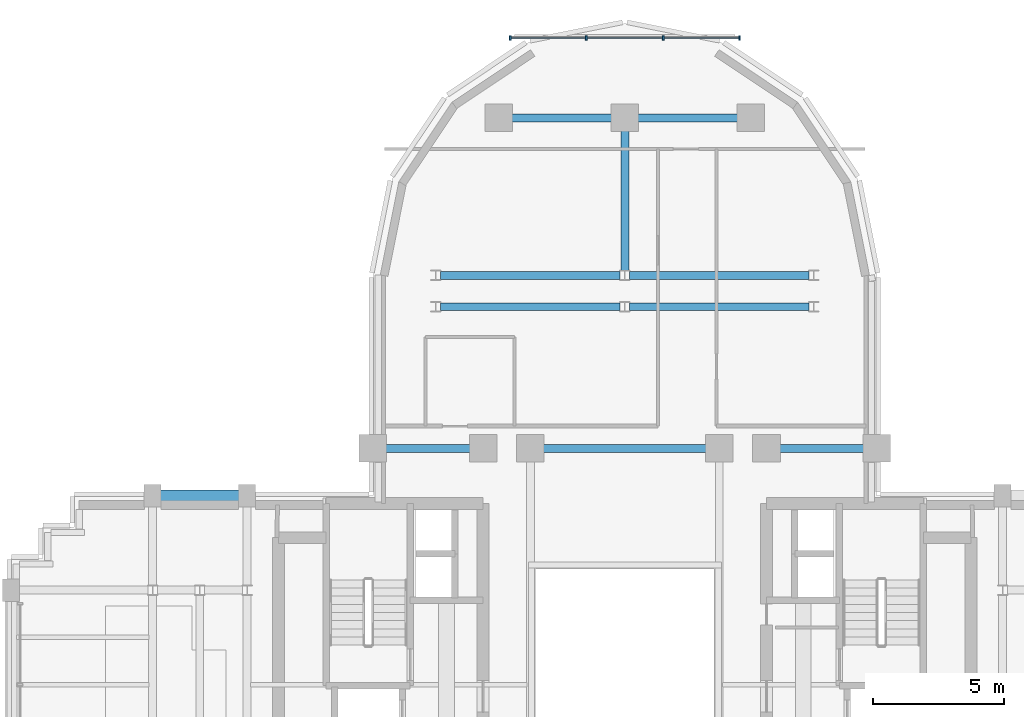
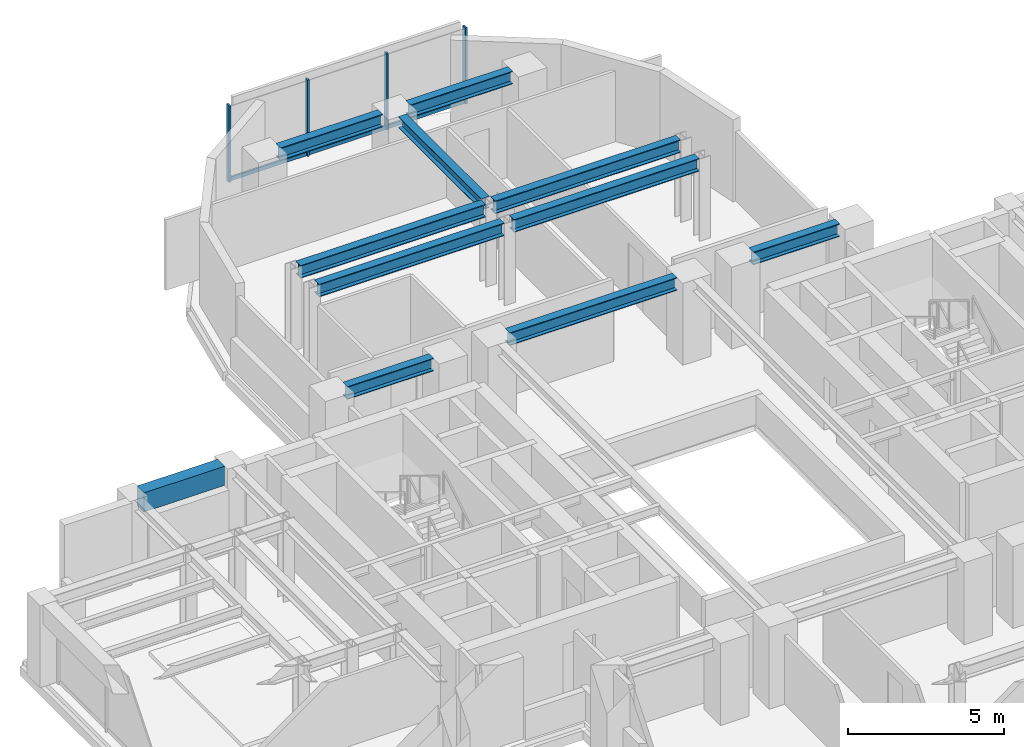
# One storey, part 6 of 13: 11 beams, 7 members, 1 element without a shape of its own.
"""IFC4 building model written with IfcOpenShell, lengths in metres."""

from ifc_helpers import new_model, si_unit, direction, frame, origin, origin_2d, place, context, subcontext, project, spatial, rectangle, i_section, extrude, source, transform, mapped, material, material_profile, profile_set, type_object, element, aggregate, save


model = new_model("IFC4")

# Units and contexts
model_context = context("Model", 3, precision=1e-05, world=origin(), true_north=direction((0.0, 1.0)))
body_context = subcontext(model_context, "Body", "Model", "MODEL_VIEW")
ifc_project = project(units=[si_unit("LENGTHUNIT", "METRE"), si_unit("AREAUNIT", "SQUARE_METRE"), si_unit("VOLUMEUNIT", "CUBIC_METRE"), si_unit("PLANEANGLEUNIT", "RADIAN"), si_unit("MASSUNIT", "GRAM", prefix="KILO")], contexts=[model_context])

# Site, building, storey
site_placement = place(None, origin())
site = spatial("IfcSite", under=ifc_project, at=site_placement, CompositionType="ELEMENT")
building_placement = place(site_placement, origin())
building = spatial("IfcBuilding", under=site, at=building_placement, Name="Keilestroom Media Tower", CompositionType="ELEMENT")
storey_placement = place(building_placement, frame((0.0, 0.0, 97.199951171875)))
storey = spatial("IfcBuildingStorey", under=building, at=storey_placement, Name="L25", CompositionType="ELEMENT", Elevation=97.199951171875)

# Beams
ifc_material_1 = material(Name="Steel S355", Category="steel")
ifc_material_profile_1 = material_profile(ifc_material_1, i_section(OverallWidth=0.300048828125, OverallDepth=0.5, WebThickness=0.012451171875, FlangeThickness=0.028076171875, at=origin_2d()), Name="HEB 500")
ifc_profile_set_1 = profile_set([ifc_material_profile_1], Name="Steel S355")
beam_type_1 = type_object("IfcBeamType", Name="Primary-Structural-Girder-HEB-500", PredefinedType="BEAM", material=ifc_profile_set_1)
shared_shape_1 = source(origin(), body_context, "Body", "SweptSolid", [
    extrude(i_section(OverallWidth=0.300048828125, OverallDepth=0.5, WebThickness=0.012451171875, FlangeThickness=0.028076171875, at=origin_2d()), origin(), (0.0, 0.0, 1.0), 3.7900390625),
])
for number, where, z_axis, x_axis, name in (
    (1, (-4.294921875, 21.60009765625, 2.949951171875), (1.0, 0.0, 0.0), (0.0, 1.0, 0.0), "L25 Beam BG-6 BM-L25-EW-037"),
    (2, (0.5048828125, 21.60009765625, 2.949951171875), (1.0, 0.0, 0.0), (0.0, 1.0, 0.0), "L25 Beam BG-6 BM-L25-EW-038"),
):
    element("IfcBeam", number, at=place(storey_placement, frame(where, z_axis=z_axis, x_axis=x_axis)), inside=storey, type_object=beam_type_1, Name=name, PredefinedType="BEAM", context=body_context, shape_type="MappedRepresentation", body=[
        mapped(shared_shape_1, transform((0.0, 0.0, 0.0), x_axis=(1.0, 0.0, 0.0), y_axis=(0.0, 1.0, 0.0), z_axis=(0.0, 0.0, 1.0), scale=1.0)),
    ])
shared_shape_2 = source(origin(), body_context, "Body", "SweptSolid", [
    extrude(i_section(OverallWidth=0.300048828125, OverallDepth=0.5, WebThickness=0.012451171875, FlangeThickness=0.028076171875, at=origin_2d()), origin(), (0.0, 0.0, 1.0), 6.839111328125),
])
for number, where, z_axis, x_axis, name in (
    (3, (-7.01953125, 14.39990234375, 2.949951171875), (1.0, 0.0, 0.0), (0.0, 1.0, 0.0), "L25 Beam BG-6 BM-L25-EW-033"),
    (4, (0.180419921875, 14.39990234375, 2.949951171875), (1.0, 0.0, 0.0), (0.0, 1.0, 0.0), "L25 Beam BG-6 BM-L25-EW-034"),
    (5, (-7.01953125, 15.60009765625, 2.949951171875), (1.0, 0.0, 0.0), (0.0, 1.0, 0.0), "L25 Beam BG-6 BM-L25-EW-035"),
    (6, (0.180419921875, 15.60009765625, 2.949951171875), (1.0, 0.0, 0.0), (0.0, 1.0, 0.0), "L25 Beam BG-6 BM-L25-EW-036"),
):
    element("IfcBeam", number, at=place(storey_placement, frame(where, z_axis=z_axis, x_axis=x_axis)), inside=storey, type_object=beam_type_1, Name=name, PredefinedType="BEAM", context=body_context, shape_type="MappedRepresentation", body=[
        mapped(shared_shape_2, transform((0.0, 0.0, 0.0), x_axis=(1.0, 0.0, 0.0), y_axis=(0.0, 1.0, 0.0), z_axis=(0.0, 0.0, 1.0), scale=1.0)),
    ])
shared_shape_3 = source(origin(), body_context, "Body", "SweptSolid", [
    extrude(i_section(OverallWidth=0.300048828125, OverallDepth=0.5, WebThickness=0.012451171875, FlangeThickness=0.028076171875, at=origin_2d()), origin(), (0.0, 0.0, 1.0), 3.18994140625),
])
for number, where, z_axis, x_axis, name in (
    (7, (-9.094970703125, 9.0, 2.949951171875), (1.0, 0.0, 0.0), (0.0, 1.0, 0.0), "L25 Beam BG-6 BM-L25-EW-028"),
    (8, (5.905029296875, 9.0, 2.949951171875), (1.0, 0.0, 0.0), (0.0, 1.0, 0.0), "L25 Beam BG-6 BM-L25-EW-032"),
):
    element("IfcBeam", number, at=place(storey_placement, frame(where, z_axis=z_axis, x_axis=x_axis)), inside=storey, type_object=beam_type_1, Name=name, PredefinedType="BEAM", context=body_context, shape_type="MappedRepresentation", body=[
        mapped(shared_shape_3, transform((0.0, 0.0, 0.0), x_axis=(1.0, 0.0, 0.0), y_axis=(0.0, 1.0, 0.0), z_axis=(0.0, 0.0, 1.0), scale=1.0)),
    ])
shared_shape_4 = source(origin(), body_context, "Body", "SweptSolid", [
    extrude(i_section(OverallWidth=0.300048828125, OverallDepth=0.5, WebThickness=0.012451171875, FlangeThickness=0.028076171875, at=origin_2d()), origin(), (0.0, 0.0, 1.0), 6.18994140625),
])
beam_1_placement = place(storey_placement, frame((-3.094970703125, 9.0, 2.949951171875), z_axis=(1.0, 0.0, 0.0), x_axis=(0.0, 1.0, 0.0)))
element("IfcBeam", 9, at=beam_1_placement, inside=storey, type_object=beam_type_1, Name="L25 Beam BG-6 BM-L25-EW-030", PredefinedType="BEAM", context=body_context, shape_type="MappedRepresentation", body=[
    mapped(shared_shape_4, transform((0.0, 0.0, 0.0), x_axis=(1.0, 0.0, 0.0), y_axis=(0.0, 1.0, 0.0), z_axis=(0.0, 0.0, 1.0), scale=1.0)),
])
ifc_material_2 = material(Name="Precast concrete C40/50", Category="concrete")
ifc_material_profile_2 = material_profile(ifc_material_2, rectangle(XDim=0.449951171875, YDim=0.75, at=origin_2d()), Name="PC 450x750")
ifc_profile_set_2 = profile_set([ifc_material_profile_2], Name="Precast concrete C40/50")
beam_type_2 = type_object("IfcBeamType", Name="Perimeter-Spandrel-Beam-PC-450x750", PredefinedType="SPANDREL", material=ifc_profile_set_2)
shared_shape_5 = source(origin(), body_context, "Body", "SweptSolid", [
    extrude(rectangle(XDim=0.449951171875, YDim=0.75, at=origin_2d()), origin(), (0.0, 0.0, 1.0), 2.989990234375),
])
beam_2_placement = place(storey_placement, frame((-17.695068359375, 7.199951171875, 2.824951171875), z_axis=(1.0, 0.0, 0.0), x_axis=(0.0, 1.0, 0.0)))
element("IfcBeam", 10, at=beam_2_placement, inside=storey, type_object=beam_type_2, Name="L25 Beam SPB-1 BM-L25-EW-026", PredefinedType="SPANDREL", context=body_context, shape_type="MappedRepresentation", body=[
    mapped(shared_shape_5, transform((0.0, 0.0, 0.0), x_axis=(1.0, 0.0, 0.0), y_axis=(0.0, 1.0, 0.0), z_axis=(0.0, 0.0, 1.0), scale=1.0)),
])
ifc_material_profile_3 = material_profile(ifc_material_1, i_section(OverallWidth=0.300048828125, OverallDepth=0.43994140625, WebThickness=0.011474609375, FlangeThickness=0.02099609375, at=origin_2d()), Name="HEA 450")
ifc_profile_set_3 = profile_set([ifc_material_profile_3], Name="Steel S355")
beam_type_3 = type_object("IfcBeamType", Name="Primary-Structural-Girder-HEA-450", PredefinedType="BEAM", material=ifc_profile_set_3)
shared_shape_6 = source(origin(), body_context, "Body", "SweptSolid", [
    extrude(i_section(OverallWidth=0.300048828125, OverallDepth=0.43994140625, WebThickness=0.011474609375, FlangeThickness=0.02099609375, at=origin_2d()), origin(), (0.0, 0.0, 1.0), 5.3154296875),
])
beam_3_placement = place(storey_placement, frame((0.0, 15.779541015625, 2.97998046875), z_axis=(0.0, 1.0, 0.0), x_axis=(-1.0, 0.0, 0.0)))
element("IfcBeam", 11, at=beam_3_placement, inside=storey, type_object=beam_type_3, Name="L25 Beam BG-11 BM-L25-NS-055", PredefinedType="BEAM", context=body_context, shape_type="MappedRepresentation", body=[
    mapped(shared_shape_6, transform((0.0, 0.0, 0.0), x_axis=(1.0, 0.0, 0.0), y_axis=(0.0, 1.0, 0.0), z_axis=(0.0, 0.0, 1.0), scale=1.0)),
])

# Curtain wall, members
ifc_material_3 = material(Name="Anodised Aluminium Alloy", Category="aluminium")
curtain_wall_type = type_object("IfcCurtainWallType", Name="Unitised-Curtain-Wall-CW-6", PredefinedType="NOTDEFINED", material=ifc_material_3)
curtain_wall_placement = place(storey_placement, origin())
curtain_wall = element("IfcCurtainWall", 12, at=curtain_wall_placement, inside=storey, type_object=curtain_wall_type, Name="L25 Curtain Wall CW-6 CW-L25-LN-1", PredefinedType="NOTDEFINED")
ifc_material_profile_4 = material_profile(ifc_material_3, rectangle(XDim=0.06494140625, YDim=0.179931640625, at=origin_2d()), Name="ALU MULLION 65x180")
ifc_profile_set_4 = profile_set([ifc_material_profile_4], Name="Anodised Aluminium Alloy")
member_type_1 = type_object("IfcMemberType", Name="Curtain-Wall-Mullion-CW-6", PredefinedType="MULLION", material=ifc_profile_set_4)
shared_shape_7 = source(origin(), body_context, "Body", "SweptSolid", [
    extrude(rectangle(XDim=0.06494140625, YDim=0.179931640625, at=origin_2d()), origin(), (0.0, 0.0, 1.0), 2.97998046875),
])
member_1_placement = place(storey_placement, frame((-4.367431640625, 24.64990234375, 0.0), z_axis=(0.0, 0.0, 1.0), x_axis=(1.0, 0.0, 0.0)))
member_1 = element("IfcMember", 13, at=member_1_placement, type_object=member_type_1, Name="CW-6 Mullion 00", PredefinedType="MULLION", context=body_context, shape_type="MappedRepresentation", body=[
    mapped(shared_shape_7, transform((0.0, 0.0, 0.0), x_axis=(1.0, 0.0, 0.0), y_axis=(0.0, 1.0, 0.0), z_axis=(0.0, 0.0, 1.0), scale=1.0)),
])
member_2_placement = place(storey_placement, frame((-1.466796875, 24.64990234375, 0.0), z_axis=(0.0, 0.0, 1.0), x_axis=(1.0, 0.0, 0.0)))
member_2 = element("IfcMember", 14, at=member_2_placement, type_object=member_type_1, Name="CW-6 Mullion 01", PredefinedType="MULLION", context=body_context, shape_type="MappedRepresentation", body=[
    mapped(shared_shape_7, transform((0.0, 0.0, 0.0), x_axis=(1.0, 0.0, 0.0), y_axis=(0.0, 1.0, 0.0), z_axis=(0.0, 0.0, 1.0), scale=1.0)),
])
member_3_placement = place(storey_placement, frame((1.466796875, 24.64990234375, 0.0), z_axis=(0.0, 0.0, 1.0), x_axis=(1.0, 0.0, 0.0)))
member_3 = element("IfcMember", 15, at=member_3_placement, type_object=member_type_1, Name="CW-6 Mullion 02", PredefinedType="MULLION", context=body_context, shape_type="MappedRepresentation", body=[
    mapped(shared_shape_7, transform((0.0, 0.0, 0.0), x_axis=(1.0, 0.0, 0.0), y_axis=(0.0, 1.0, 0.0), z_axis=(0.0, 0.0, 1.0), scale=1.0)),
])
member_4_placement = place(storey_placement, frame((4.367431640625, 24.64990234375, 0.0), z_axis=(0.0, 0.0, 1.0), x_axis=(1.0, 0.0, 0.0)))
member_4 = element("IfcMember", 16, at=member_4_placement, type_object=member_type_1, Name="CW-6 Mullion 03", PredefinedType="MULLION", context=body_context, shape_type="MappedRepresentation", body=[
    mapped(shared_shape_7, transform((0.0, 0.0, 0.0), x_axis=(1.0, 0.0, 0.0), y_axis=(0.0, 1.0, 0.0), z_axis=(0.0, 0.0, 1.0), scale=1.0)),
])
ifc_material_profile_5 = material_profile(ifc_material_3, rectangle(XDim=0.06494140625, YDim=0.14990234375, at=origin_2d()), Name="ALU TRANSOM 65x150")
ifc_profile_set_5 = profile_set([ifc_material_profile_5], Name="Anodised Aluminium Alloy")
member_type_2 = type_object("IfcMemberType", Name="Curtain-Wall-Transom-CW-6", PredefinedType="USERDEFINED", material=ifc_profile_set_5)
shared_shape_8 = source(origin(), body_context, "Body", "SweptSolid", [
    extrude(rectangle(XDim=0.06494140625, YDim=0.14990234375, at=origin_2d()), origin(), (0.0, 0.0, 1.0), 2.839599609375),
])
member_5_placement = place(storey_placement, frame((-4.3369140625, 24.64990234375, 0.074951171875), z_axis=(1.0, 0.0, 0.0), x_axis=(0.0, 1.0, 0.0)))
member_5 = element("IfcMember", 17, at=member_5_placement, type_object=member_type_2, Name="CW-6 Transom 00.1", ObjectType="TRANSOM", PredefinedType="USERDEFINED", context=body_context, shape_type="MappedRepresentation", body=[
    mapped(shared_shape_8, transform((0.0, 0.0, 0.0), x_axis=(1.0, 0.0, 0.0), y_axis=(0.0, 1.0, 0.0), z_axis=(0.0, 0.0, 1.0), scale=1.0)),
])
member_6_placement = place(storey_placement, frame((1.497314453125, 24.64990234375, 0.074951171875), z_axis=(1.0, 0.0, 0.0), x_axis=(0.0, 1.0, 0.0)))
member_6 = element("IfcMember", 18, at=member_6_placement, type_object=member_type_2, Name="CW-6 Transom 02.1", ObjectType="TRANSOM", PredefinedType="USERDEFINED", context=body_context, shape_type="MappedRepresentation", body=[
    mapped(shared_shape_8, transform((0.0, 0.0, 0.0), x_axis=(1.0, 0.0, 0.0), y_axis=(0.0, 1.0, 0.0), z_axis=(0.0, 0.0, 1.0), scale=1.0)),
])
shared_shape_9 = source(origin(), body_context, "Body", "SweptSolid", [
    extrude(rectangle(XDim=0.06494140625, YDim=0.14990234375, at=origin_2d()), origin(), (0.0, 0.0, 1.0), 2.87255859375),
])
member_7_placement = place(storey_placement, frame((-1.436279296875, 24.64990234375, 0.074951171875), z_axis=(1.0, 0.0, 0.0), x_axis=(0.0, 1.0, 0.0)))
member_7 = element("IfcMember", 19, at=member_7_placement, type_object=member_type_2, Name="CW-6 Transom 01.1", ObjectType="TRANSOM", PredefinedType="USERDEFINED", context=body_context, shape_type="MappedRepresentation", body=[
    mapped(shared_shape_9, transform((0.0, 0.0, 0.0), x_axis=(1.0, 0.0, 0.0), y_axis=(0.0, 1.0, 0.0), z_axis=(0.0, 0.0, 1.0), scale=1.0)),
])
aggregate(curtain_wall, [member_1, member_2, member_3, member_4, member_5, member_7, member_6])

save(model, "model.ifc")
